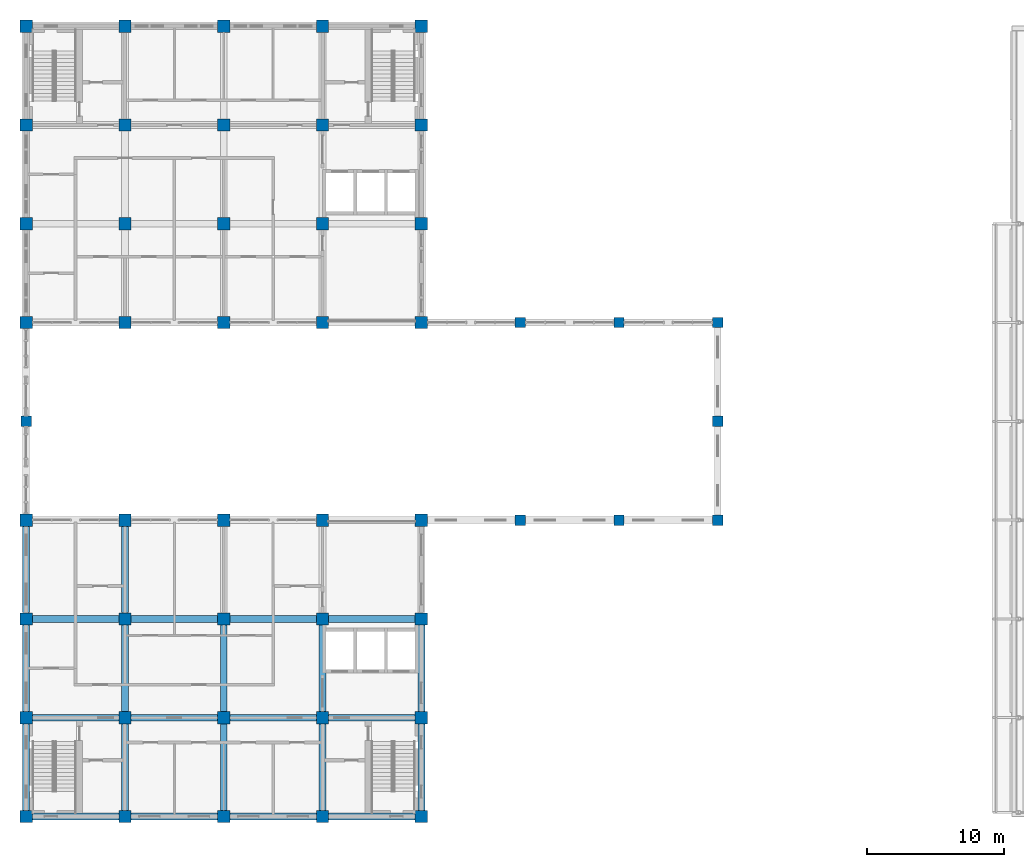
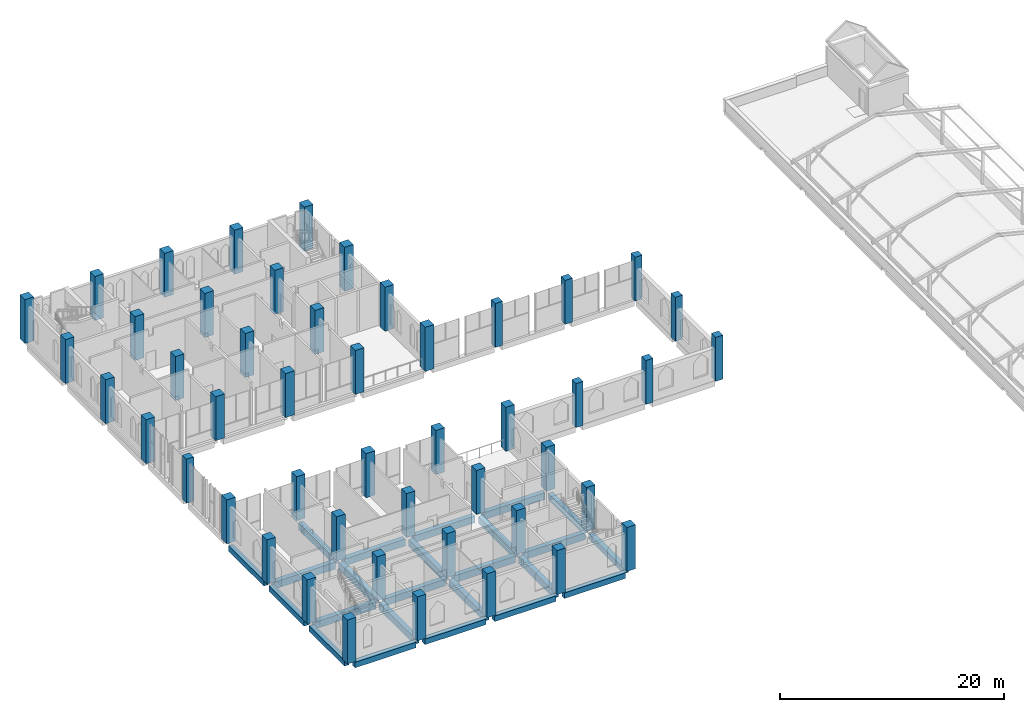
# One storey, part 1 of 30: 48 columns, 24 beams.
"""IFC4 building model written with IfcOpenShell, lengths in metres."""

from ifc_helpers import new_model, si_unit, direction, frame, origin, origin_2d, place, context, subcontext, project, spatial, rectangle, extrude, material, material_profile, profile_set, type_object, element, save


model = new_model("IFC4")

# Units and contexts
model_context = context("Model", 3, precision=1e-05, world=origin(), true_north=direction((0.0, 1.0)))
body_context = subcontext(model_context, "Body", "Model", "MODEL_VIEW")
ifc_project = project(units=[si_unit("LENGTHUNIT", "METRE"), si_unit("AREAUNIT", "SQUARE_METRE"), si_unit("VOLUMEUNIT", "CUBIC_METRE"), si_unit("PLANEANGLEUNIT", "RADIAN"), si_unit("MASSUNIT", "GRAM", prefix="KILO")], contexts=[model_context])

# Site, building, storey
site_placement = place(None, origin())
site = spatial("IfcSite", under=ifc_project, at=site_placement, CompositionType="ELEMENT")
building_placement = place(site_placement, origin())
building = spatial("IfcBuilding", under=site, at=building_placement, Name="Silangan Lancet Faculty of Sciences", CompositionType="ELEMENT")
storey_placement = place(building_placement, frame((0.0, 0.0, 31.199951171875)))
storey = spatial("IfcBuildingStorey", under=building, at=storey_placement, Name="L06", CompositionType="ELEMENT", Elevation=31.199951171875)

# Columns
ifc_material_1 = material(Name="Concrete C40/50", Category="concrete")
ifc_material_profile_1 = material_profile(ifc_material_1, rectangle(XDim=0.75, YDim=0.75, at=origin_2d()), Name="RC 750x750")
ifc_profile_set_1 = profile_set([ifc_material_profile_1], Name="Concrete C40/50")
column_type_1 = type_object("IfcColumnType", Name="COLUMN RC 750x750", PredefinedType="COLUMN", material=ifc_profile_set_1)
for number, where, z_axis, x_axis, name in (
    (1, (0.0, 28.800048828125, 0.0), (0.0, 0.0, 1.0), (1.0, 0.0, 0.0), "COL-L06-1E"),
    (2, (36.0, 21.60009765625, 0.0), (0.0, 0.0, 1.0), (1.0, 0.0, 0.0), "COL-L06-6D"),
    (3, (36.0, 36.0, 0.0), (0.0, 0.0, 1.0), (1.0, 0.0, 0.0), "COL-L06-6F"),
    (4, (43.199951171875, 21.60009765625, 0.0), (0.0, 0.0, 1.0), (1.0, 0.0, 0.0), "COL-L06-7D"),
    (5, (43.199951171875, 36.0, 0.0), (0.0, 0.0, 1.0), (1.0, 0.0, 0.0), "COL-L06-7F"),
    (6, (50.39990234375, 21.60009765625, 0.0), (0.0, 0.0, 1.0), (1.0, 0.0, 0.0), "COL-L06-8D"),
    (7, (50.39990234375, 28.800048828125, 0.0), (0.0, 0.0, 1.0), (1.0, 0.0, 0.0), "COL-L06-8E"),
    (8, (50.39990234375, 36.0, 0.0), (0.0, 0.0, 1.0), (1.0, 0.0, 0.0), "COL-L06-8F"),
):
    element("IfcColumn", number, at=place(storey_placement, frame(where, z_axis=z_axis, x_axis=x_axis)), inside=storey, type_object=column_type_1, Name=name, PredefinedType="COLUMN", context=body_context, shape_type="SweptSolid", body=[
        extrude(rectangle(XDim=0.75, YDim=0.75, at=origin_2d()), origin(), (0.0, 0.0, 1.0), 4.800048828125),
    ])
ifc_material_2 = material(Name="Concrete C50/60", Category="concrete")
ifc_material_profile_2 = material_profile(ifc_material_2, rectangle(XDim=0.89990234375, YDim=0.89990234375, at=origin_2d()), Name="RC 900x900")
ifc_profile_set_2 = profile_set([ifc_material_profile_2], Name="Concrete C50/60")
column_type_2 = type_object("IfcColumnType", Name="COLUMN RC 900x900", PredefinedType="COLUMN", material=ifc_profile_set_2)
for number, where, z_axis, x_axis, name in (
    (9, (0.0, 0.0, 0.0), (0.0, 0.0, 1.0), (1.0, 0.0, 0.0), "COL-L06-1A"),
    (10, (0.0, 7.199951171875, 0.0), (0.0, 0.0, 1.0), (1.0, 0.0, 0.0), "COL-L06-1B"),
    (11, (0.0, 14.39990234375, 0.0), (0.0, 0.0, 1.0), (1.0, 0.0, 0.0), "COL-L06-1C"),
    (12, (0.0, 21.60009765625, 0.0), (0.0, 0.0, 1.0), (1.0, 0.0, 0.0), "COL-L06-1D"),
    (13, (0.0, 36.0, 0.0), (0.0, 0.0, 1.0), (1.0, 0.0, 0.0), "COL-L06-1F"),
    (14, (0.0, 43.199951171875, 0.0), (0.0, 0.0, 1.0), (1.0, 0.0, 0.0), "COL-L06-1G"),
    (15, (0.0, 50.39990234375, 0.0), (0.0, 0.0, 1.0), (1.0, 0.0, 0.0), "COL-L06-1H"),
    (16, (0.0, 57.60009765625, 0.0), (0.0, 0.0, 1.0), (1.0, 0.0, 0.0), "COL-L06-1I"),
    (17, (7.199951171875, 0.0, 0.0), (0.0, 0.0, 1.0), (1.0, 0.0, 0.0), "COL-L06-2A"),
    (18, (7.199951171875, 7.199951171875, 0.0), (0.0, 0.0, 1.0), (1.0, 0.0, 0.0), "COL-L06-2B"),
    (19, (7.199951171875, 14.39990234375, 0.0), (0.0, 0.0, 1.0), (1.0, 0.0, 0.0), "COL-L06-2C"),
    (20, (7.199951171875, 21.60009765625, 0.0), (0.0, 0.0, 1.0), (1.0, 0.0, 0.0), "COL-L06-2D"),
    (21, (7.199951171875, 36.0, 0.0), (0.0, 0.0, 1.0), (1.0, 0.0, 0.0), "COL-L06-2F"),
    (22, (7.199951171875, 43.199951171875, 0.0), (0.0, 0.0, 1.0), (1.0, 0.0, 0.0), "COL-L06-2G"),
    (23, (7.199951171875, 50.39990234375, 0.0), (0.0, 0.0, 1.0), (1.0, 0.0, 0.0), "COL-L06-2H"),
    (24, (7.199951171875, 57.60009765625, 0.0), (0.0, 0.0, 1.0), (1.0, 0.0, 0.0), "COL-L06-2I"),
    (25, (14.39990234375, 0.0, 0.0), (0.0, 0.0, 1.0), (1.0, 0.0, 0.0), "COL-L06-3A"),
    (26, (14.39990234375, 7.199951171875, 0.0), (0.0, 0.0, 1.0), (1.0, 0.0, 0.0), "COL-L06-3B"),
    (27, (14.39990234375, 14.39990234375, 0.0), (0.0, 0.0, 1.0), (1.0, 0.0, 0.0), "COL-L06-3C"),
    (28, (14.39990234375, 21.60009765625, 0.0), (0.0, 0.0, 1.0), (1.0, 0.0, 0.0), "COL-L06-3D"),
    (29, (14.39990234375, 36.0, 0.0), (0.0, 0.0, 1.0), (1.0, 0.0, 0.0), "COL-L06-3F"),
    (30, (14.39990234375, 43.199951171875, 0.0), (0.0, 0.0, 1.0), (1.0, 0.0, 0.0), "COL-L06-3G"),
    (31, (14.39990234375, 50.39990234375, 0.0), (0.0, 0.0, 1.0), (1.0, 0.0, 0.0), "COL-L06-3H"),
    (32, (14.39990234375, 57.60009765625, 0.0), (0.0, 0.0, 1.0), (1.0, 0.0, 0.0), "COL-L06-3I"),
    (33, (21.60009765625, 0.0, 0.0), (0.0, 0.0, 1.0), (1.0, 0.0, 0.0), "COL-L06-4A"),
    (34, (21.60009765625, 7.199951171875, 0.0), (0.0, 0.0, 1.0), (1.0, 0.0, 0.0), "COL-L06-4B"),
    (35, (21.60009765625, 14.39990234375, 0.0), (0.0, 0.0, 1.0), (1.0, 0.0, 0.0), "COL-L06-4C"),
    (36, (21.60009765625, 21.60009765625, 0.0), (0.0, 0.0, 1.0), (1.0, 0.0, 0.0), "COL-L06-4D"),
    (37, (21.60009765625, 36.0, 0.0), (0.0, 0.0, 1.0), (1.0, 0.0, 0.0), "COL-L06-4F"),
    (38, (21.60009765625, 43.199951171875, 0.0), (0.0, 0.0, 1.0), (1.0, 0.0, 0.0), "COL-L06-4G"),
    (39, (21.60009765625, 50.39990234375, 0.0), (0.0, 0.0, 1.0), (1.0, 0.0, 0.0), "COL-L06-4H"),
    (40, (21.60009765625, 57.60009765625, 0.0), (0.0, 0.0, 1.0), (1.0, 0.0, 0.0), "COL-L06-4I"),
    (41, (28.800048828125, 0.0, 0.0), (0.0, 0.0, 1.0), (1.0, 0.0, 0.0), "COL-L06-5A"),
    (42, (28.800048828125, 7.199951171875, 0.0), (0.0, 0.0, 1.0), (1.0, 0.0, 0.0), "COL-L06-5B"),
    (43, (28.800048828125, 14.39990234375, 0.0), (0.0, 0.0, 1.0), (1.0, 0.0, 0.0), "COL-L06-5C"),
    (44, (28.800048828125, 21.60009765625, 0.0), (0.0, 0.0, 1.0), (1.0, 0.0, 0.0), "COL-L06-5D"),
    (45, (28.800048828125, 36.0, 0.0), (0.0, 0.0, 1.0), (1.0, 0.0, 0.0), "COL-L06-5F"),
    (46, (28.800048828125, 43.199951171875, 0.0), (0.0, 0.0, 1.0), (1.0, 0.0, 0.0), "COL-L06-5G"),
    (47, (28.800048828125, 50.39990234375, 0.0), (0.0, 0.0, 1.0), (1.0, 0.0, 0.0), "COL-L06-5H"),
    (48, (28.800048828125, 57.60009765625, 0.0), (0.0, 0.0, 1.0), (1.0, 0.0, 0.0), "COL-L06-5I"),
):
    element("IfcColumn", number, at=place(storey_placement, frame(where, z_axis=z_axis, x_axis=x_axis)), inside=storey, type_object=column_type_2, Name=name, PredefinedType="COLUMN", context=body_context, shape_type="SweptSolid", body=[
        extrude(rectangle(XDim=0.89990234375, YDim=0.89990234375, at=origin_2d()), origin(), (0.0, 0.0, 1.0), 4.800048828125),
    ])

# Beams
ifc_material_3 = material(Name="Concrete C40/50", Category="concrete")
ifc_material_profile_3 = material_profile(ifc_material_3, rectangle(XDim=0.5, YDim=0.60009765625, at=origin_2d()), Name="RC 500x600")
ifc_profile_set_3 = profile_set([ifc_material_profile_3], Name="Concrete C40/50")
beam_type_1 = type_object("IfcBeamType", Name="BEAM RC 500x600", PredefinedType="BEAM", material=ifc_profile_set_3)
for number, where, z_axis, x_axis, name in (
    (49, (0.449951171875, 0.0, -0.550048828125), (1.0, 0.0, 0.0), (0.0, 1.0, 0.0), "BM-L06-1A-2A"),
    (50, (7.64990234375, 0.0, -0.550048828125), (1.0, 0.0, 0.0), (0.0, 1.0, 0.0), "BM-L06-2A-3A"),
):
    element("IfcBeam", number, at=place(storey_placement, frame(where, z_axis=z_axis, x_axis=x_axis)), inside=storey, type_object=beam_type_1, Name=name, PredefinedType="BEAM", context=body_context, shape_type="SweptSolid", body=[
        extrude(rectangle(XDim=0.5, YDim=0.60009765625, at=origin_2d()), origin(), (0.0, 0.0, 1.0), 6.300048828125),
    ])
beam_1_placement = place(storey_placement, frame((14.85009765625, 0.0, -0.550048828125), z_axis=(1.0, 0.0, 0.0), x_axis=(0.0, 1.0, 0.0)))
element("IfcBeam", 51, at=beam_1_placement, inside=storey, type_object=beam_type_1, Name="BM-L06-3A-4A", PredefinedType="BEAM", context=body_context, shape_type="SweptSolid", body=[
    extrude(rectangle(XDim=0.5, YDim=0.60009765625, at=origin_2d()), origin(), (0.0, 0.0, 1.0), 6.2998046875),
])
for number, where, z_axis, x_axis, name in (
    (52, (22.050048828125, 0.0, -0.550048828125), (1.0, 0.0, 0.0), (0.0, 1.0, 0.0), "BM-L06-4A-5A"),
    (53, (0.0, 0.449951171875, -0.550048828125), (0.0, 1.0, 0.0), (-1.0, 0.0, 0.0), "BM-L06-1A-1B"),
    (54, (0.0, 7.64990234375, -0.550048828125), (0.0, 1.0, 0.0), (-1.0, 0.0, 0.0), "BM-L06-1B-1C"),
):
    element("IfcBeam", number, at=place(storey_placement, frame(where, z_axis=z_axis, x_axis=x_axis)), inside=storey, type_object=beam_type_1, Name=name, PredefinedType="BEAM", context=body_context, shape_type="SweptSolid", body=[
        extrude(rectangle(XDim=0.5, YDim=0.60009765625, at=origin_2d()), origin(), (0.0, 0.0, 1.0), 6.300048828125),
    ])
beam_2_placement = place(storey_placement, frame((0.0, 14.85009765625, -0.550048828125), z_axis=(0.0, 1.0, 0.0), x_axis=(-1.0, 0.0, 0.0)))
element("IfcBeam", 55, at=beam_2_placement, inside=storey, type_object=beam_type_1, Name="BM-L06-1C-1D", PredefinedType="BEAM", context=body_context, shape_type="SweptSolid", body=[
    extrude(rectangle(XDim=0.5, YDim=0.60009765625, at=origin_2d()), origin(), (0.0, 0.0, 1.0), 6.2998046875),
])
for number, where, z_axis, x_axis, name in (
    (56, (28.800048828125, 0.449951171875, -0.550048828125), (0.0, 1.0, 0.0), (-1.0, 0.0, 0.0), "BM-L06-5A-5B"),
    (57, (28.800048828125, 7.64990234375, -0.550048828125), (0.0, 1.0, 0.0), (-1.0, 0.0, 0.0), "BM-L06-5B-5C"),
):
    element("IfcBeam", number, at=place(storey_placement, frame(where, z_axis=z_axis, x_axis=x_axis)), inside=storey, type_object=beam_type_1, Name=name, PredefinedType="BEAM", context=body_context, shape_type="SweptSolid", body=[
        extrude(rectangle(XDim=0.5, YDim=0.60009765625, at=origin_2d()), origin(), (0.0, 0.0, 1.0), 6.300048828125),
    ])
ifc_material_4 = material(Name="Concrete C40/50", Category="concrete")
ifc_material_profile_4 = material_profile(ifc_material_4, rectangle(XDim=0.5, YDim=0.75, at=origin_2d()), Name="RC 500x750")
ifc_profile_set_4 = profile_set([ifc_material_profile_4], Name="Concrete C40/50")
beam_type_2 = type_object("IfcBeamType", Name="BEAM RC 500x750", PredefinedType="BEAM", material=ifc_profile_set_4)
for number, where, z_axis, x_axis, name in (
    (58, (0.449951171875, 7.199951171875, -0.625), (1.0, 0.0, 0.0), (0.0, 1.0, 0.0), "BM-L06-1B-2B"),
    (59, (7.64990234375, 7.199951171875, -0.625), (1.0, 0.0, 0.0), (0.0, 1.0, 0.0), "BM-L06-2B-3B"),
):
    element("IfcBeam", number, at=place(storey_placement, frame(where, z_axis=z_axis, x_axis=x_axis)), inside=storey, type_object=beam_type_2, Name=name, PredefinedType="BEAM", context=body_context, shape_type="SweptSolid", body=[
        extrude(rectangle(XDim=0.5, YDim=0.75, at=origin_2d()), origin(), (0.0, 0.0, 1.0), 6.300048828125),
    ])
beam_3_placement = place(storey_placement, frame((14.85009765625, 7.199951171875, -0.625), z_axis=(1.0, 0.0, 0.0), x_axis=(0.0, 1.0, 0.0)))
element("IfcBeam", 60, at=beam_3_placement, inside=storey, type_object=beam_type_2, Name="BM-L06-3B-4B", PredefinedType="BEAM", context=body_context, shape_type="SweptSolid", body=[
    extrude(rectangle(XDim=0.5, YDim=0.75, at=origin_2d()), origin(), (0.0, 0.0, 1.0), 6.2998046875),
])
for number, where, z_axis, x_axis, name in (
    (61, (22.050048828125, 7.199951171875, -0.625), (1.0, 0.0, 0.0), (0.0, 1.0, 0.0), "BM-L06-4B-5B"),
    (62, (0.449951171875, 14.39990234375, -0.625), (1.0, 0.0, 0.0), (0.0, 1.0, 0.0), "BM-L06-1C-2C"),
    (63, (7.64990234375, 14.39990234375, -0.625), (1.0, 0.0, 0.0), (0.0, 1.0, 0.0), "BM-L06-2C-3C"),
):
    element("IfcBeam", number, at=place(storey_placement, frame(where, z_axis=z_axis, x_axis=x_axis)), inside=storey, type_object=beam_type_2, Name=name, PredefinedType="BEAM", context=body_context, shape_type="SweptSolid", body=[
        extrude(rectangle(XDim=0.5, YDim=0.75, at=origin_2d()), origin(), (0.0, 0.0, 1.0), 6.300048828125),
    ])
beam_4_placement = place(storey_placement, frame((14.85009765625, 14.39990234375, -0.625), z_axis=(1.0, 0.0, 0.0), x_axis=(0.0, 1.0, 0.0)))
element("IfcBeam", 64, at=beam_4_placement, inside=storey, type_object=beam_type_2, Name="BM-L06-3C-4C", PredefinedType="BEAM", context=body_context, shape_type="SweptSolid", body=[
    extrude(rectangle(XDim=0.5, YDim=0.75, at=origin_2d()), origin(), (0.0, 0.0, 1.0), 6.2998046875),
])
for number, where, z_axis, x_axis, name in (
    (65, (22.050048828125, 14.39990234375, -0.625), (1.0, 0.0, 0.0), (0.0, 1.0, 0.0), "BM-L06-4C-5C"),
    (66, (7.199951171875, 0.449951171875, -0.625), (0.0, 1.0, 0.0), (-1.0, 0.0, 0.0), "BM-L06-2A-2B"),
    (67, (7.199951171875, 7.64990234375, -0.625), (0.0, 1.0, 0.0), (-1.0, 0.0, 0.0), "BM-L06-2B-2C"),
):
    element("IfcBeam", number, at=place(storey_placement, frame(where, z_axis=z_axis, x_axis=x_axis)), inside=storey, type_object=beam_type_2, Name=name, PredefinedType="BEAM", context=body_context, shape_type="SweptSolid", body=[
        extrude(rectangle(XDim=0.5, YDim=0.75, at=origin_2d()), origin(), (0.0, 0.0, 1.0), 6.300048828125),
    ])
beam_5_placement = place(storey_placement, frame((7.199951171875, 14.85009765625, -0.625), z_axis=(0.0, 1.0, 0.0), x_axis=(-1.0, 0.0, 0.0)))
element("IfcBeam", 68, at=beam_5_placement, inside=storey, type_object=beam_type_2, Name="BM-L06-2C-2D", PredefinedType="BEAM", context=body_context, shape_type="SweptSolid", body=[
    extrude(rectangle(XDim=0.5, YDim=0.75, at=origin_2d()), origin(), (0.0, 0.0, 1.0), 6.2998046875),
])
for number, where, z_axis, x_axis, name in (
    (69, (14.39990234375, 0.449951171875, -0.625), (0.0, 1.0, 0.0), (-1.0, 0.0, 0.0), "BM-L06-3A-3B"),
    (70, (14.39990234375, 7.64990234375, -0.625), (0.0, 1.0, 0.0), (-1.0, 0.0, 0.0), "BM-L06-3B-3C"),
    (71, (21.60009765625, 0.449951171875, -0.625), (0.0, 1.0, 0.0), (-1.0, 0.0, 0.0), "BM-L06-4A-4B"),
    (72, (21.60009765625, 7.64990234375, -0.625), (0.0, 1.0, 0.0), (-1.0, 0.0, 0.0), "BM-L06-4B-4C"),
):
    element("IfcBeam", number, at=place(storey_placement, frame(where, z_axis=z_axis, x_axis=x_axis)), inside=storey, type_object=beam_type_2, Name=name, PredefinedType="BEAM", context=body_context, shape_type="SweptSolid", body=[
        extrude(rectangle(XDim=0.5, YDim=0.75, at=origin_2d()), origin(), (0.0, 0.0, 1.0), 6.300048828125),
    ])

save(model, "model.ifc")
